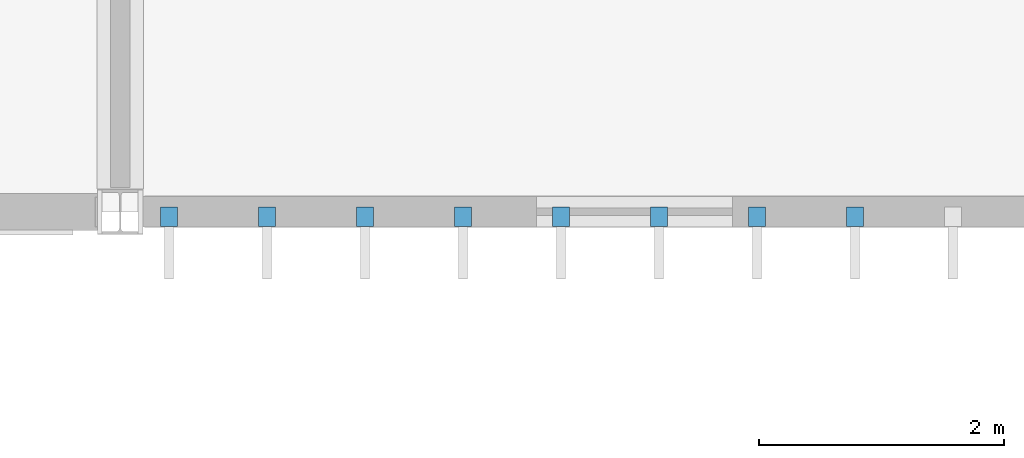
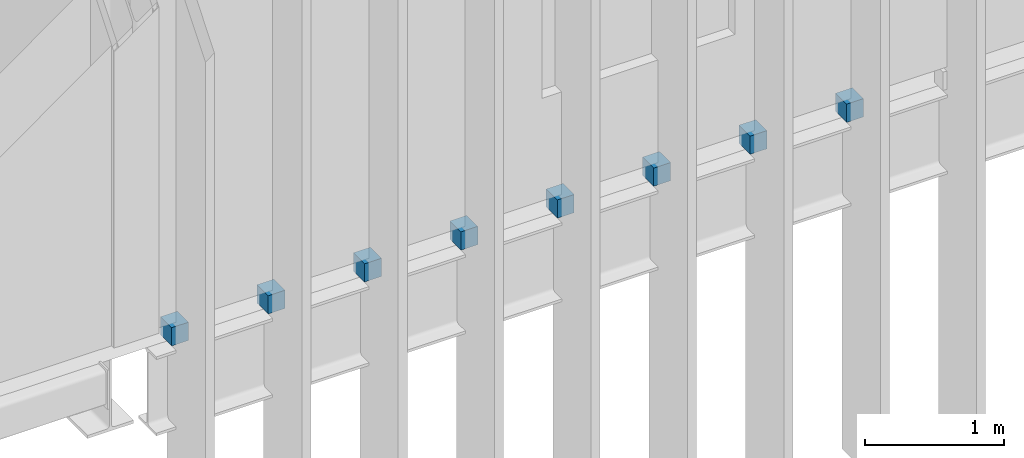
# One storey, part 56 of 72: 8 discrete accessories.
"""IFC4 building model written with IfcOpenShell, lengths in metres."""

from ifc_helpers import new_model, si_unit, direction, frame, origin, origin_2d, place, context, subcontext, project, spatial, rectangle, extrude, material, type_object, element, save


model = new_model("IFC4")

# Units and contexts
model_context = context("Model", 3, precision=1e-05, world=origin(), true_north=direction((0.0, 1.0)))
body_context = subcontext(model_context, "Body", "Model", "MODEL_VIEW")
ifc_project = project(units=[si_unit("LENGTHUNIT", "METRE"), si_unit("AREAUNIT", "SQUARE_METRE"), si_unit("VOLUMEUNIT", "CUBIC_METRE"), si_unit("PLANEANGLEUNIT", "RADIAN"), si_unit("MASSUNIT", "GRAM", prefix="KILO")], contexts=[model_context])

# Site, building, storey
site_placement = place(None, origin())
site = spatial("IfcSite", under=ifc_project, at=site_placement, CompositionType="ELEMENT")
building_placement = place(site_placement, origin())
building = spatial("IfcBuilding", under=site, at=building_placement, Name="Calvrana Isthmian Art Gallery", CompositionType="ELEMENT")
storey_placement = place(building_placement, frame((0.0, 0.0, 15.0)))
storey = spatial("IfcBuildingStorey", under=building, at=storey_placement, Name="L03", CompositionType="ELEMENT", Elevation=15.0)

# Discrete accessories
ifc_material = material(Name="Stainless steel 316", Category="steel")
discrete_accessory_type = type_object("IfcDiscreteAccessoryType", Name="ACC-BRK-FIN", PredefinedType="BRACKET", material=ifc_material)
for number, where, z_axis, x_axis, name in (
    (1, (72.39990234375, 21.56005859375, -0.2001953125), (0.0, 0.0, 1.0), (1.0, 0.0, 0.0), "Solar fin outrigger bracket V1_SE-000"),
    (2, (73.199951171875, 21.56005859375, -0.2001953125), (0.0, 0.0, 1.0), (1.0, 0.0, 0.0), "Solar fin outrigger bracket V1_SE-001"),
    (3, (74.0, 21.56005859375, -0.2001953125), (0.0, 0.0, 1.0), (1.0, 0.0, 0.0), "Solar fin outrigger bracket V1_SE-002"),
    (4, (74.800048828125, 21.56005859375, -0.2001953125), (0.0, 0.0, 1.0), (1.0, 0.0, 0.0), "Solar fin outrigger bracket V1_SE-003"),
    (5, (75.60009765625, 21.56005859375, -0.2001953125), (0.0, 0.0, 1.0), (1.0, 0.0, 0.0), "Solar fin outrigger bracket V1_SE-004"),
    (6, (76.39990234375, 21.56005859375, -0.2001953125), (0.0, 0.0, 1.0), (1.0, 0.0, 0.0), "Solar fin outrigger bracket V1_SE-005"),
    (7, (77.199951171875, 21.56005859375, -0.2001953125), (0.0, 0.0, 1.0), (1.0, 0.0, 0.0), "Solar fin outrigger bracket V1_SE-006"),
    (8, (78.0, 21.56005859375, -0.2001953125), (0.0, 0.0, 1.0), (1.0, 0.0, 0.0), "Solar fin outrigger bracket V1_SE-007"),
):
    element("IfcDiscreteAccessory", number, at=place(storey_placement, frame(where, z_axis=z_axis, x_axis=x_axis)), inside=storey, type_object=discrete_accessory_type, Name=name, PredefinedType="BRACKET", context=body_context, shape_type="SweptSolid", body=[
        extrude(rectangle(XDim=0.139892578125, YDim=0.159912109375, at=origin_2d()), origin(), (0.0, 0.0, 1.0), 0.159912109375),
    ])

save(model, "model.ifc")
